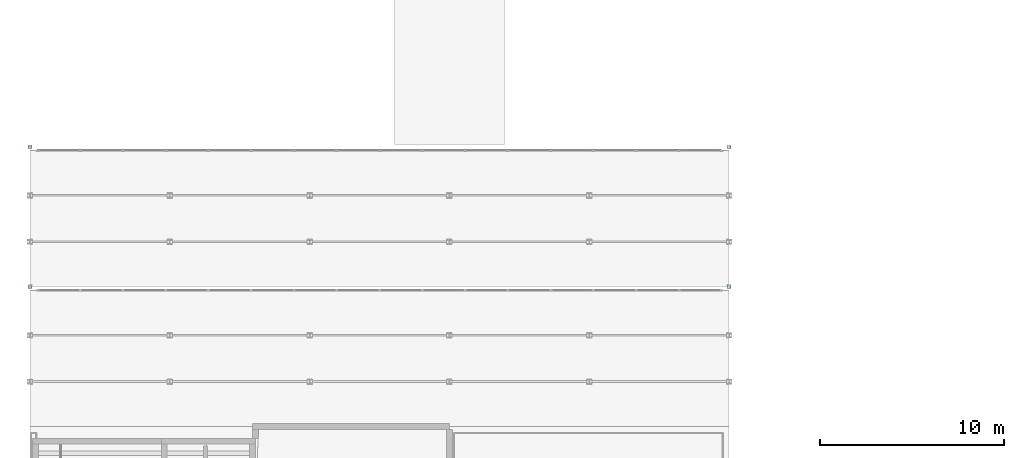
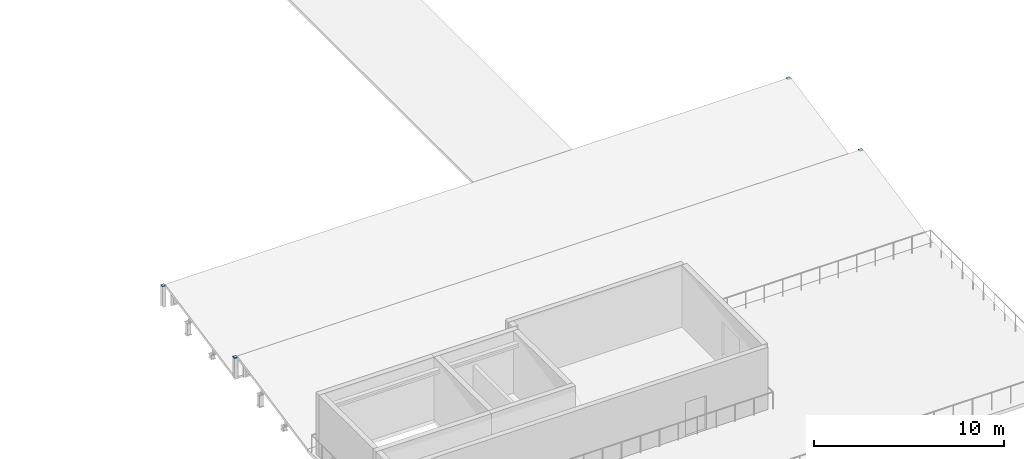
# One storey, part 78 of 114: 4 plates.
"""IFC4 building model written with IfcOpenShell, lengths in metres."""

from ifc_helpers import new_model, si_unit, direction, frame, origin, origin_2d, place, context, subcontext, project, spatial, rectangle, extrude, material, layer, layer_set, type_object, element, save


model = new_model("IFC4")

# Units and contexts
model_context = context("Model", 3, precision=1e-05, world=origin(), true_north=direction((0.0, 1.0)))
body_context = subcontext(model_context, "Body", "Model", "MODEL_VIEW")
ifc_project = project(units=[si_unit("LENGTHUNIT", "METRE"), si_unit("AREAUNIT", "SQUARE_METRE"), si_unit("VOLUMEUNIT", "CUBIC_METRE"), si_unit("PLANEANGLEUNIT", "RADIAN"), si_unit("MASSUNIT", "GRAM", prefix="KILO")], contexts=[model_context])

# Site, building, storey
site_placement = place(None, origin())
site = spatial("IfcSite", under=ifc_project, at=site_placement, CompositionType="ELEMENT")
building_placement = place(site_placement, origin())
building = spatial("IfcBuilding", under=site, at=building_placement, Name="Montecoro Central Library", CompositionType="ELEMENT")
storey_placement = place(building_placement, frame((0.0, 0.0, 13.260009765625)))
storey = spatial("IfcBuildingStorey", under=building, at=storey_placement, Name="L03", CompositionType="ELEMENT", Elevation=13.260009765625)

# Plates
ifc_material = material(Name="Steel S355", Category="steel")
ifc_layer = layer(ifc_material, 0.01611328125)
ifc_layer_set = layer_set([ifc_layer], Name="Steel S355")
plate_type = type_object("IfcPlateType", Name="PLT-CAP-16", PredefinedType="SHEET", material=ifc_layer_set)
for number, where, z_axis, x_axis, name in (
    (1, (5.0, 27.800048828125, 1.308837890625), (0.0, 0.0, 1.0), (1.0, 0.0, 0.0), "V3-ROOF-POSTCAP1-W"),
    (2, (43.0, 27.800048828125, 1.308837890625), (0.0, 0.0, 1.0), (1.0, 0.0, 0.0), "V3-ROOF-POSTCAP1-E"),
    (3, (5.0, 35.39990234375, 1.308837890625), (0.0, 0.0, 1.0), (1.0, 0.0, 0.0), "V3-ROOF-POSTCAP2-W"),
    (4, (43.0, 35.39990234375, 1.308837890625), (0.0, 0.0, 1.0), (1.0, 0.0, 0.0), "V3-ROOF-POSTCAP2-E"),
):
    element("IfcPlate", number, at=place(storey_placement, frame(where, z_axis=z_axis, x_axis=x_axis)), inside=storey, type_object=plate_type, Name=name, PredefinedType="SHEET", context=body_context, shape_type="SweptSolid", body=[
        extrude(rectangle(XDim=0.199951171875, YDim=0.199951171875, at=origin_2d()), origin(), (0.0, 0.0, 1.0), 0.01611328125),
    ])

save(model, "model.ifc")
